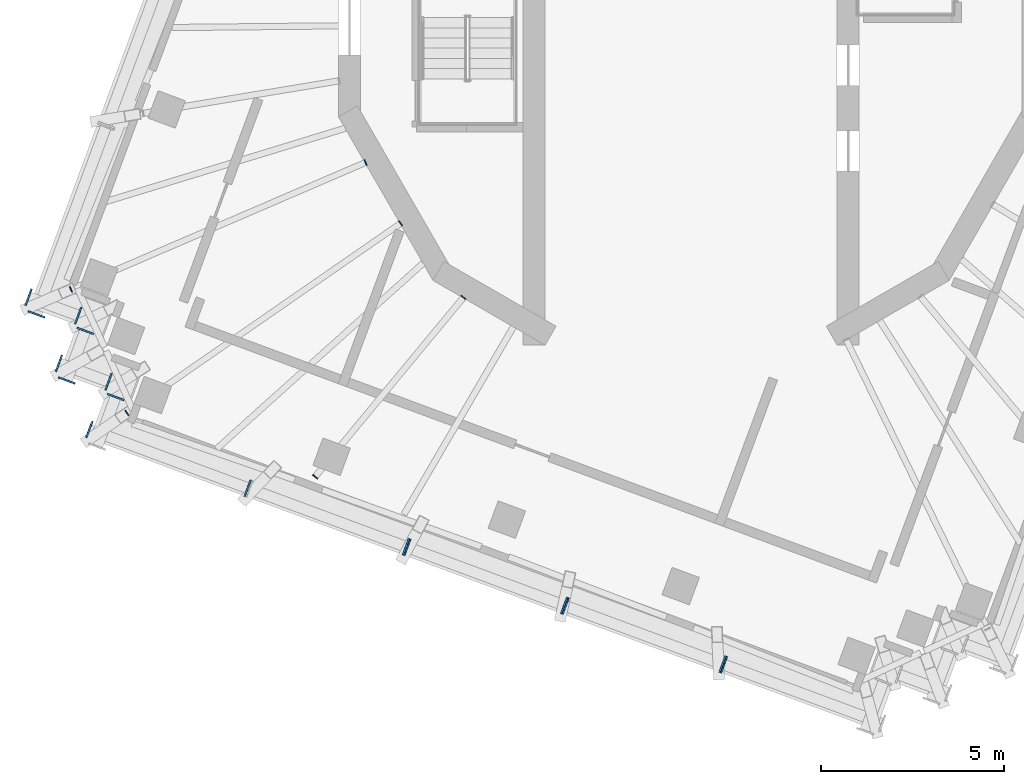
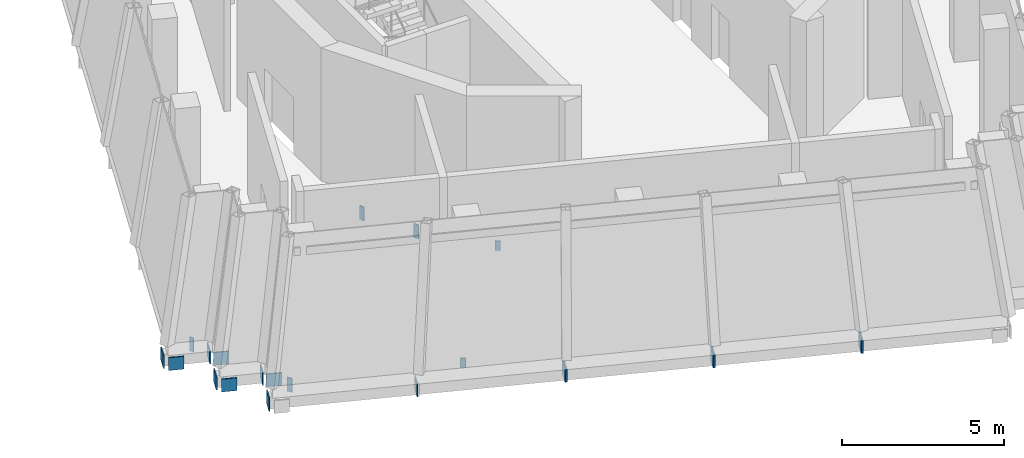
# One storey, part 7 of 13: 22 discrete accessories, 10 elements without a shape of their own.
"""IFC4 building model written with IfcOpenShell, lengths in metres."""

from ifc_helpers import new_model, si_unit, direction, frame, origin, place, context, subcontext, project, spatial, polyline, outline, extrude, material, layer, layer_set, type_object, element, aggregate, save


model = new_model("IFC4")

# Units and contexts
model_context = context("Model", 3, precision=1e-05, world=origin(), true_north=direction((0.0, 1.0)))
body_context = subcontext(model_context, "Body", "Model", "MODEL_VIEW")
ifc_project = project(units=[si_unit("LENGTHUNIT", "METRE"), si_unit("AREAUNIT", "SQUARE_METRE"), si_unit("VOLUMEUNIT", "CUBIC_METRE"), si_unit("PLANEANGLEUNIT", "RADIAN"), si_unit("MASSUNIT", "GRAM", prefix="KILO")], contexts=[model_context])

# Site, building, storey
site_placement = place(None, origin())
site = spatial("IfcSite", under=ifc_project, at=site_placement, CompositionType="ELEMENT")
building_placement = place(site_placement, origin())
building = spatial("IfcBuilding", under=site, at=building_placement, Name="Cantera Rosa Tower", CompositionType="ELEMENT")
storey_placement = place(building_placement, frame((0.0, 0.0, 350.699951171875)))
storey = spatial("IfcBuildingStorey", under=building, at=storey_placement, Name="L79", CompositionType="ELEMENT", Elevation=350.699951171875)

# Curtain wall, discrete accessory
ifc_material_1 = material(Name="Aluminium frame with clear glass", Category="aluminium")
curtain_wall_type = type_object("IfcCurtainWallType", Name="CW4 CROWN GLAZING", PredefinedType="NOTDEFINED", material=ifc_material_1)
curtain_wall_1_placement = place(storey_placement, origin())
curtain_wall_1 = element("IfcCurtainWall", 1, at=curtain_wall_1_placement, inside=storey, type_object=curtain_wall_type, Name="CW4 L79-14", PredefinedType="NOTDEFINED")
ifc_material_2 = material(Name="Steel S355J2 (EN 10025-2)", Category="steel")
ifc_layer = layer(ifc_material_2, 0.030029296875)
ifc_layer_set = layer_set([ifc_layer], Name="NODE PLATE 30")
discrete_accessory_type = type_object("IfcDiscreteAccessoryType", Name="NODE PLATE 30", PredefinedType="ANCHORPLATE", material=ifc_layer_set)
discrete_accessory_1_placement = place(storey_placement, frame((-17.714111328125, -8.1005859375, -0.43505859375), z_axis=(-0.347330918501, -0.937742626232, 0.0), x_axis=(-0.937742626232, 0.347330918501, 0.0)))
discrete_accessory_1 = element("IfcDiscreteAccessory", 2, at=discrete_accessory_1_placement, type_object=discrete_accessory_type, Name="END PLATE TE1", PredefinedType="ANCHORPLATE", context=body_context, shape_type="SweptSolid", body=[
    extrude(outline(polyline([(0.0, 0.0), (0.4800840869406107, 0.0), (0.4800840869406107, 0.47998046875), (0.0, 0.47998046875), (0.0, 0.0)])), origin(), (0.0, 0.0, -1.0), 0.0400390625),
])
aggregate(curtain_wall_1, [discrete_accessory_1])

# Curtain wall, discrete accessories
curtain_wall_2_placement = place(storey_placement, origin())
curtain_wall_2 = element("IfcCurtainWall", 3, at=curtain_wall_2_placement, inside=storey, type_object=curtain_wall_type, Name="CW4 L79-15", PredefinedType="NOTDEFINED")
discrete_accessory_2_placement = place(storey_placement, frame((-18.25048828125, -7.746826171875, -0.43505859375), z_axis=(-0.937742626232, 0.347330918501, 0.0), x_axis=(0.347330918501, 0.937742626232, 0.0)))
discrete_accessory_2 = element("IfcDiscreteAccessory", 4, at=discrete_accessory_2_placement, type_object=discrete_accessory_type, Name="END PLATE TE0", PredefinedType="ANCHORPLATE", context=body_context, shape_type="SweptSolid", body=[
    extrude(outline(polyline([(0.0, 0.0), (0.4800840869406107, 0.0), (0.4800840869406107, 0.47998046875), (0.0, 0.47998046875), (0.0, 0.0)])), origin(), (0.0, 0.0, -1.0), 0.0400390625),
])
discrete_accessory_3_placement = place(storey_placement, frame((-16.6865234375, -7.814453125, -0.43505859375), z_axis=(0.937576914778, -0.347777987911, 0.0), x_axis=(-0.347777987911, -0.937576914778, 0.0)))
discrete_accessory_3 = element("IfcDiscreteAccessory", 5, at=discrete_accessory_3_placement, type_object=discrete_accessory_type, Name="END PLATE TE1", PredefinedType="ANCHORPLATE", context=body_context, shape_type="SweptSolid", body=[
    extrude(outline(polyline([(0.0, 0.0), (0.4801689391068604, 0.0), (0.4801689391068604, 0.47998046875), (0.0, 0.47998046875), (0.0, 0.0)])), origin(), (0.0, 0.0, -1.0), 0.0400390625),
])
aggregate(curtain_wall_2, [discrete_accessory_2, discrete_accessory_3])

curtain_wall_3_placement = place(storey_placement, origin())
curtain_wall_3 = element("IfcCurtainWall", 6, at=curtain_wall_3_placement, inside=storey, type_object=curtain_wall_type, Name="CW4 L79-16", PredefinedType="NOTDEFINED")
discrete_accessory_4_placement = place(storey_placement, frame((-16.814697265625, -8.349609375, -0.43505859375), z_axis=(0.347330918501, 0.937742626232, 0.0), x_axis=(0.937742626232, -0.347330918501, 0.0)))
discrete_accessory_4 = element("IfcDiscreteAccessory", 7, at=discrete_accessory_4_placement, type_object=discrete_accessory_type, Name="END PLATE TE0", PredefinedType="ANCHORPLATE", context=body_context, shape_type="SweptSolid", body=[
    extrude(outline(polyline([(0.0, 0.0), (0.4800840869406107, 0.0), (0.4800840869406107, 0.47998046875), (0.0, 0.47998046875), (0.0, 0.0)])), origin(), (0.0, 0.0, -1.0), 0.0400390625),
])
discrete_accessory_5_placement = place(storey_placement, frame((-16.88232421875, -9.91357421875, -0.43505859375), z_axis=(-0.347330918501, -0.937742626232, 0.0), x_axis=(-0.937742626232, 0.347330918501, 0.0)))
discrete_accessory_5 = element("IfcDiscreteAccessory", 8, at=discrete_accessory_5_placement, type_object=discrete_accessory_type, Name="END PLATE TE1", PredefinedType="ANCHORPLATE", context=body_context, shape_type="SweptSolid", body=[
    extrude(outline(polyline([(0.0, 0.0), (0.4800840869406107, 0.0), (0.4800840869406107, 0.47998046875), (0.0, 0.47998046875), (0.0, 0.0)])), origin(), (0.0, 0.0, -1.0), 0.0400390625),
])
aggregate(curtain_wall_3, [discrete_accessory_4, discrete_accessory_5])

curtain_wall_4_placement = place(storey_placement, origin())
curtain_wall_4 = element("IfcCurtainWall", 9, at=curtain_wall_4_placement, inside=storey, type_object=curtain_wall_type, Name="CW4 L79-17", PredefinedType="NOTDEFINED")
discrete_accessory_6_placement = place(storey_placement, frame((-17.41748046875, -9.55908203125, -0.43505859375), z_axis=(-0.937742626232, 0.347330918501, 0.0), x_axis=(0.347330918501, 0.937742626232, 0.0)))
discrete_accessory_6 = element("IfcDiscreteAccessory", 10, at=discrete_accessory_6_placement, type_object=discrete_accessory_type, Name="END PLATE TE0", PredefinedType="ANCHORPLATE", context=body_context, shape_type="SweptSolid", body=[
    extrude(outline(polyline([(0.0, 0.0), (0.4800840869406107, 0.0), (0.4800840869406107, 0.47998046875), (0.0, 0.47998046875), (0.0, 0.0)])), origin(), (0.0, 0.0, -1.0), 0.0400390625),
])
discrete_accessory_7_placement = place(storey_placement, frame((-15.853759765625, -9.626708984375, -0.43505859375), z_axis=(0.937681233018, -0.347496626235, 0.0), x_axis=(-0.347496626235, -0.937681233018, 0.0)))
discrete_accessory_7 = element("IfcDiscreteAccessory", 11, at=discrete_accessory_7_placement, type_object=discrete_accessory_type, Name="END PLATE TE1", PredefinedType="ANCHORPLATE", context=body_context, shape_type="SweptSolid", body=[
    extrude(outline(polyline([(0.0, 0.0), (0.4798551533622547, 0.0), (0.4798551533622547, 0.47998046875), (0.0, 0.47998046875), (0.0, 0.0)])), origin(), (0.0, 0.0, -1.0), 0.0400390625),
])
aggregate(curtain_wall_4, [discrete_accessory_6, discrete_accessory_7])

# Curtain wall, discrete accessory
curtain_wall_5_placement = place(storey_placement, origin())
curtain_wall_5 = element("IfcCurtainWall", 12, at=curtain_wall_5_placement, inside=storey, type_object=curtain_wall_type, Name="CW4 L79-18", PredefinedType="NOTDEFINED")
discrete_accessory_8_placement = place(storey_placement, frame((-15.98291015625, -10.16259765625, -0.43505859375), z_axis=(0.347330918501, 0.937742626232, 0.0), x_axis=(0.937742626232, -0.347330918501, 0.0)))
discrete_accessory_8 = element("IfcDiscreteAccessory", 13, at=discrete_accessory_8_placement, type_object=discrete_accessory_type, Name="END PLATE TE0", PredefinedType="ANCHORPLATE", context=body_context, shape_type="SweptSolid", body=[
    extrude(outline(polyline([(0.0, 0.0), (0.4800840869406107, 0.0), (0.4800840869406107, 0.47998046875), (0.0, 0.47998046875), (0.0, 0.0)])), origin(), (0.0, 0.0, -1.0), 0.0400390625),
])
aggregate(curtain_wall_5, [discrete_accessory_8])

curtain_wall_6_placement = place(storey_placement, origin())
curtain_wall_6 = element("IfcCurtainWall", 14, at=curtain_wall_6_placement, inside=storey, type_object=curtain_wall_type, Name="CW4 L79-19", PredefinedType="NOTDEFINED")
discrete_accessory_9_placement = place(storey_placement, frame((-16.584716796875, -11.37109375, -0.43505859375), z_axis=(-0.937681233018, 0.347496626235, 0.0), x_axis=(0.347496626235, 0.937681233018, 0.0)))
discrete_accessory_9 = element("IfcDiscreteAccessory", 15, at=discrete_accessory_9_placement, type_object=discrete_accessory_type, Name="END PLATE TE0", PredefinedType="ANCHORPLATE", context=body_context, shape_type="SweptSolid", body=[
    extrude(outline(polyline([(0.0, 0.0), (0.4798551533622547, 0.0), (0.4798551533622547, 0.47998046875), (0.0, 0.47998046875), (0.0, 0.0)])), origin(), (0.0, 0.0, -1.0), 0.0400390625),
])
aggregate(curtain_wall_6, [discrete_accessory_9])

# Curtain wall, discrete accessories
curtain_wall_7_placement = place(storey_placement, origin())
curtain_wall_7 = element("IfcCurtainWall", 16, at=curtain_wall_7_placement, inside=storey, type_object=curtain_wall_type, Name="CW4 L79-20", PredefinedType="NOTDEFINED")
discrete_accessory_10_placement = place(storey_placement, frame((-12.2490234375, -12.97802734375, -0.43505859375), z_axis=(-0.937576914778, 0.347777987911, 0.0), x_axis=(0.347777987911, 0.937576914778, 0.0)))
discrete_accessory_10 = element("IfcDiscreteAccessory", 17, at=discrete_accessory_10_placement, type_object=discrete_accessory_type, Name="END PLATE TE0", PredefinedType="ANCHORPLATE", context=body_context, shape_type="SweptSolid", body=[
    extrude(outline(polyline([(0.0, 0.0), (0.4801689391068604, 0.0), (0.4801689391068604, 0.47998046875), (0.0, 0.47998046875), (0.0, 0.0)])), origin(), (0.0, 0.0, -1.0), 0.0400390625),
])
discrete_accessory_11_placement = place(storey_placement, frame((-7.671142578125, -14.162353515625, -0.43505859375), z_axis=(0.937742626232, -0.347330918501, 0.0), x_axis=(-0.347330918501, -0.937742626232, 0.0)))
discrete_accessory_11 = element("IfcDiscreteAccessory", 18, at=discrete_accessory_11_placement, type_object=discrete_accessory_type, Name="END PLATE TE1", PredefinedType="ANCHORPLATE", context=body_context, shape_type="SweptSolid", body=[
    extrude(outline(polyline([(0.0, 0.0), (0.4800840869406107, 0.0), (0.4800840869406107, 0.47998046875), (0.0, 0.47998046875), (0.0, 0.0)])), origin(), (0.0, 0.0, -1.0), 0.0400390625),
])
aggregate(curtain_wall_7, [discrete_accessory_10, discrete_accessory_11])

curtain_wall_8_placement = place(storey_placement, origin())
curtain_wall_8 = element("IfcCurtainWall", 19, at=curtain_wall_8_placement, inside=storey, type_object=curtain_wall_type, Name="CW4 L79-21", PredefinedType="NOTDEFINED")
discrete_accessory_12_placement = place(storey_placement, frame((-7.9130859375, -14.584716796875, -0.43505859375), z_axis=(-0.937742626232, 0.347330918501, 0.0), x_axis=(0.347330918501, 0.937742626232, 0.0)))
discrete_accessory_12 = element("IfcDiscreteAccessory", 20, at=discrete_accessory_12_placement, type_object=discrete_accessory_type, Name="END PLATE TE0", PredefinedType="ANCHORPLATE", context=body_context, shape_type="SweptSolid", body=[
    extrude(outline(polyline([(0.0, 0.0), (0.4800840869406107, 0.0), (0.4800840869406107, 0.47998046875), (0.0, 0.47998046875), (0.0, 0.0)])), origin(), (0.0, 0.0, -1.0), 0.0400390625),
])
discrete_accessory_13_placement = place(storey_placement, frame((-3.335205078125, -15.769287109375, -0.43505859375), z_axis=(0.93751537431, -0.347943850259, 0.0), x_axis=(-0.347943850259, -0.93751537431, 0.0)))
discrete_accessory_13 = element("IfcDiscreteAccessory", 21, at=discrete_accessory_13_placement, type_object=discrete_accessory_type, Name="END PLATE TE1", PredefinedType="ANCHORPLATE", context=body_context, shape_type="SweptSolid", body=[
    extrude(outline(polyline([(0.0, 0.0), (0.47994004600337425, 0.0), (0.47994004600337425, 0.47998046875), (0.0, 0.47998046875), (0.0, 0.0)])), origin(), (0.0, 0.0, -1.0), 0.0400390625),
])
aggregate(curtain_wall_8, [discrete_accessory_12, discrete_accessory_13])

curtain_wall_9_placement = place(storey_placement, origin())
curtain_wall_9 = element("IfcCurtainWall", 22, at=curtain_wall_9_placement, inside=storey, type_object=curtain_wall_type, Name="CW4 L79-22", PredefinedType="NOTDEFINED")
discrete_accessory_14_placement = place(storey_placement, frame((-3.5771484375, -16.19140625, -0.43505859375), z_axis=(-0.937681233018, 0.347496626235, 0.0), x_axis=(0.347496626235, 0.937681233018, 0.0)))
discrete_accessory_14 = element("IfcDiscreteAccessory", 23, at=discrete_accessory_14_placement, type_object=discrete_accessory_type, Name="END PLATE TE0", PredefinedType="ANCHORPLATE", context=body_context, shape_type="SweptSolid", body=[
    extrude(outline(polyline([(0.0, 0.0), (0.4798551533622547, 0.0), (0.4798551533622547, 0.47998046875), (0.0, 0.47998046875), (0.0, 0.0)])), origin(), (0.0, 0.0, -1.0), 0.0400390625),
])
discrete_accessory_15_placement = place(storey_placement, frame((1.00048828125, -17.3759765625, -0.43505859375), z_axis=(0.937681233018, -0.347496626235, 0.0), x_axis=(-0.347496626235, -0.937681233018, 0.0)))
discrete_accessory_15 = element("IfcDiscreteAccessory", 24, at=discrete_accessory_15_placement, type_object=discrete_accessory_type, Name="END PLATE TE1", PredefinedType="ANCHORPLATE", context=body_context, shape_type="SweptSolid", body=[
    extrude(outline(polyline([(0.0, 0.0), (0.4798551533622547, 0.0), (0.4798551533622547, 0.47998046875), (0.0, 0.47998046875), (0.0, 0.0)])), origin(), (0.0, 0.0, -1.0), 0.0400390625),
])
aggregate(curtain_wall_9, [discrete_accessory_14, discrete_accessory_15])

# Curtain wall, discrete accessory
curtain_wall_10_placement = place(storey_placement, origin())
curtain_wall_10 = element("IfcCurtainWall", 25, at=curtain_wall_10_placement, inside=storey, type_object=curtain_wall_type, Name="CW4 L79-23", PredefinedType="NOTDEFINED")
discrete_accessory_16_placement = place(storey_placement, frame((0.7587890625, -17.79833984375, -0.43505859375), z_axis=(-0.937742626232, 0.347330918501, 0.0), x_axis=(0.347330918501, 0.937742626232, 0.0)))
discrete_accessory_16 = element("IfcDiscreteAccessory", 26, at=discrete_accessory_16_placement, type_object=discrete_accessory_type, Name="END PLATE TE0", PredefinedType="ANCHORPLATE", context=body_context, shape_type="SweptSolid", body=[
    extrude(outline(polyline([(0.0, 0.0), (0.4800840869406107, 0.0), (0.4800840869406107, 0.47998046875), (0.0, 0.47998046875), (0.0, 0.0)])), origin(), (0.0, 0.0, -1.0), 0.0400390625),
])
aggregate(curtain_wall_10, [discrete_accessory_16])

# Discrete accessories
discrete_accessory_17_placement = place(storey_placement, frame((0.0, 0.0, -0.97802734375)))
element("IfcDiscreteAccessory", 27, at=discrete_accessory_17_placement, inside=storey, type_object=discrete_accessory_type, Name="END PLATE CG-Z6-08 L79 A", PredefinedType="ANCHORPLATE", context=body_context, shape_type="SweptSolid", body=[
    extrude(outline(polyline([(-16.940185546875, -7.386474609375), (-16.9677734375, -7.398193359375), (-17.033447265625, -7.245849609375), (-17.005859375, -7.23388671875), (-16.940185546875, -7.386474609375)])), origin(), (0.0, 0.0, 1.0), 0.528076171875),
])
discrete_accessory_18_placement = place(storey_placement, frame((0.0, 0.0, -0.97802734375)))
element("IfcDiscreteAccessory", 28, at=discrete_accessory_18_placement, inside=storey, type_object=discrete_accessory_type, Name="END PLATE CG-Z6-08 L79 B", PredefinedType="ANCHORPLATE", context=body_context, shape_type="SweptSolid", body=[
    extrude(outline(polyline([(-8.96533203125, -3.770751953125), (-8.937744140625, -3.759033203125), (-8.8720703125, -3.911376953125), (-8.899658203125, -3.92333984375), (-8.96533203125, -3.770751953125)])), origin(), (0.0, 0.0, 1.0), 0.528076171875),
])
discrete_accessory_19_placement = place(storey_placement, frame((0.0, 0.0, -0.97802734375)))
element("IfcDiscreteAccessory", 29, at=discrete_accessory_19_placement, inside=storey, type_object=discrete_accessory_type, Name="END PLATE CG-Z6-09 L79 A", PredefinedType="ANCHORPLATE", context=body_context, shape_type="SweptSolid", body=[
    extrude(outline(polyline([(-15.3935546875, -10.759765625), (-15.418212890625, -10.77685546875), (-15.5126953125, -10.640380859375), (-15.488037109375, -10.623291015625), (-15.3935546875, -10.759765625)])), origin(), (0.0, 0.0, 1.0), 0.528076171875),
])
discrete_accessory_20_placement = place(storey_placement, frame((0.0, 0.0, -0.97802734375)))
element("IfcDiscreteAccessory", 30, at=discrete_accessory_20_placement, inside=storey, type_object=discrete_accessory_type, Name="END PLATE CG-Z6-09 L79 B", PredefinedType="ANCHORPLATE", context=body_context, shape_type="SweptSolid", body=[
    extrude(outline(polyline([(-8.015380859375, -5.448974609375), (-7.99072265625, -5.431884765625), (-7.896240234375, -5.568359375), (-7.9208984375, -5.58544921875), (-8.015380859375, -5.448974609375)])), origin(), (0.0, 0.0, 1.0), 0.528076171875),
])
discrete_accessory_21_placement = place(storey_placement, frame((0.0, 0.0, -0.805908203125)))
element("IfcDiscreteAccessory", 31, at=discrete_accessory_21_placement, inside=storey, type_object=discrete_accessory_type, Name="END PLATE CG-Z6-10 L79 A", PredefinedType="ANCHORPLATE", context=body_context, shape_type="SweptSolid", body=[
    extrude(outline(polyline([(-10.223388671875, -12.489013671875), (-10.24267578125, -12.51220703125), (-10.374267578125, -12.403076171875), (-10.355224609375, -12.380126953125), (-10.223388671875, -12.489013671875)])), origin(), (0.0, 0.0, 1.0), 0.35595703125),
])
discrete_accessory_22_placement = place(storey_placement, frame((0.0, 0.0, -0.805908203125)))
element("IfcDiscreteAccessory", 32, at=discrete_accessory_22_placement, inside=storey, type_object=discrete_accessory_type, Name="END PLATE CG-Z6-10 L79 B", PredefinedType="ANCHORPLATE", context=body_context, shape_type="SweptSolid", body=[
    extrude(outline(polyline([(-6.3115234375, -7.4931640625), (-6.292236328125, -7.469970703125), (-6.16064453125, -7.5791015625), (-6.1796875, -7.602294921875), (-6.3115234375, -7.4931640625)])), origin(), (0.0, 0.0, 1.0), 0.35595703125),
])

save(model, "model.ifc")
